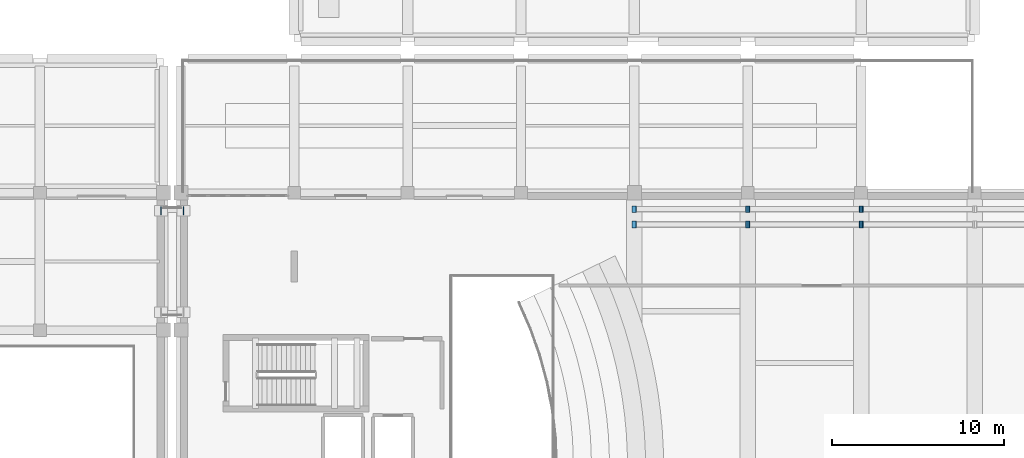
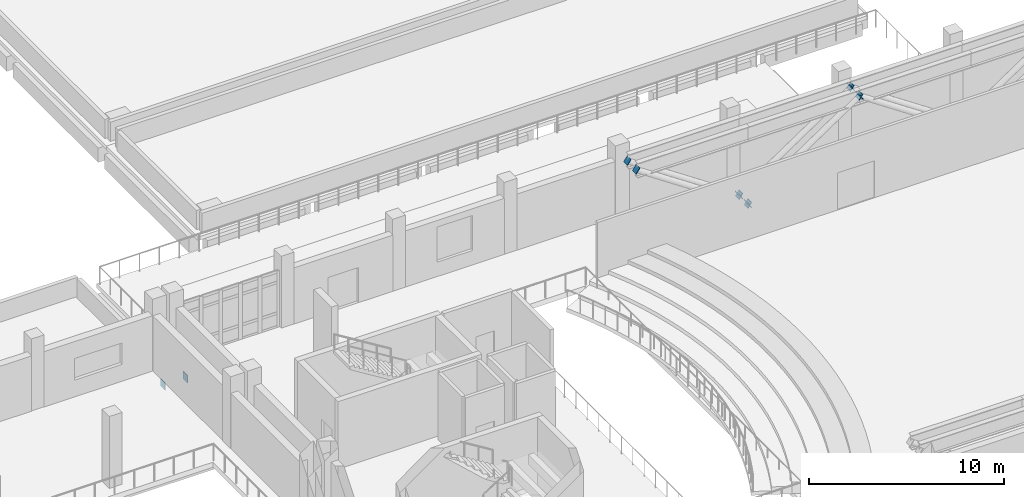
# One storey, part 46 of 54: 12 discrete accessories.
"""IFC4 building model written with IfcOpenShell, lengths in metres."""

from ifc_helpers import new_model, si_unit, direction, frame, origin, origin_2d, place, context, subcontext, project, spatial, rectangle, extrude, material, material_profile, profile_set, type_object, element, save


model = new_model("IFC4")

# Units and contexts
model_context = context("Model", 3, precision=1e-05, world=origin(), true_north=direction((0.0, 1.0)))
body_context = subcontext(model_context, "Body", "Model", "MODEL_VIEW")
ifc_project = project(units=[si_unit("LENGTHUNIT", "METRE"), si_unit("AREAUNIT", "SQUARE_METRE"), si_unit("VOLUMEUNIT", "CUBIC_METRE"), si_unit("PLANEANGLEUNIT", "RADIAN"), si_unit("MASSUNIT", "GRAM", prefix="KILO")], contexts=[model_context])

# Site, building, storey
site_placement = place(None, origin())
site = spatial("IfcSite", under=ifc_project, at=site_placement, CompositionType="ELEMENT")
building_placement = place(site_placement, origin())
building = spatial("IfcBuilding", under=site, at=building_placement, Name="Kelarvand Opera House", CompositionType="ELEMENT")
storey_placement = place(building_placement, frame((0.0, 0.0, 15.0)))
storey = spatial("IfcBuildingStorey", under=building, at=storey_placement, Name="L03", CompositionType="ELEMENT", Elevation=15.0)

# Discrete accessories
ifc_material = material(Name="Steel S355", Category="steel")
ifc_material_profile_1 = material_profile(ifc_material, rectangle(XDim=0.384033203125, YDim=0.384033203125, at=origin_2d()), Name="Welded Steel Hollow End-Cap Plate 384x384x24", Category="steel")
ifc_profile_set_1 = profile_set([ifc_material_profile_1], Name="Steel S355")
discrete_accessory_type_1 = type_object("IfcDiscreteAccessoryType", Name="Welded Steel Hollow End-Cap Plate 384x384x24", PredefinedType="SHOE", material=ifc_profile_set_1)
discrete_accessory_placement = place(storey_placement, frame((115.406494140625, 76.550048828125, 3.765380859375), z_axis=(-0.826800431078, 0.0, 0.562495375242), x_axis=(0.0, -1.0, 0.0)))
element("IfcDiscreteAccessory", 1, at=discrete_accessory_placement, inside=storey, type_object=discrete_accessory_type_1, Name="Hollow Section Welded End Cap 167", PredefinedType="SHOE", context=body_context, shape_type="SweptSolid", body=[
    extrude(rectangle(XDim=0.384033203125, YDim=0.384033203125, at=origin_2d()), origin(), (0.0, 0.0, 1.0), 0.0361328125),
])
for number, where, z_axis, x_axis, name in (
    (2, (121.993408203125, 76.550048828125, -0.66552734375), (0.829951176842, 0.0, -0.557836036894), (0.0, 1.0, 0.0), "Hollow Section Welded End Cap 168"),
    (3, (122.006591796875, 76.550048828125, -0.66552734375), (-0.829951176842, 0.0, -0.557836036894), (0.0, -1.0, 0.0), "Hollow Section Welded End Cap 171"),
):
    element("IfcDiscreteAccessory", number, at=place(storey_placement, frame(where, z_axis=z_axis, x_axis=x_axis)), inside=storey, type_object=discrete_accessory_type_1, Name=name, PredefinedType="SHOE", context=body_context, shape_type="SweptSolid", body=[
        extrude(rectangle(XDim=0.384033203125, YDim=0.384033203125, at=origin_2d()), origin(), (0.0, 0.0, 1.0), 0.035888671875),
    ])
for number, where, z_axis, x_axis, name in (
    (4, (128.593505859375, 76.550048828125, 3.765380859375), (0.826800431078, 0.0, 0.562495375242), (0.0, 1.0, 0.0), "Hollow Section Welded End Cap 172"),
    (5, (128.606689453125, 76.550048828125, 3.765380859375), (-0.826800431078, 0.0, 0.562495375242), (0.0, -1.0, 0.0), "Hollow Section Welded End Cap 175"),
    (6, (115.406494140625, 77.449951171875, 3.765380859375), (-0.826800431078, 0.0, 0.562495375242), (0.0, -1.0, 0.0), "Hollow Section Welded End Cap 191"),
):
    element("IfcDiscreteAccessory", number, at=place(storey_placement, frame(where, z_axis=z_axis, x_axis=x_axis)), inside=storey, type_object=discrete_accessory_type_1, Name=name, PredefinedType="SHOE", context=body_context, shape_type="SweptSolid", body=[
        extrude(rectangle(XDim=0.384033203125, YDim=0.384033203125, at=origin_2d()), origin(), (0.0, 0.0, 1.0), 0.0361328125),
    ])
for number, where, z_axis, x_axis, name in (
    (7, (121.993408203125, 77.449951171875, -0.66552734375), (0.829951176842, 0.0, -0.557836036894), (0.0, 1.0, 0.0), "Hollow Section Welded End Cap 192"),
    (8, (122.006591796875, 77.449951171875, -0.66552734375), (-0.829951176842, 0.0, -0.557836036894), (0.0, -1.0, 0.0), "Hollow Section Welded End Cap 195"),
):
    element("IfcDiscreteAccessory", number, at=place(storey_placement, frame(where, z_axis=z_axis, x_axis=x_axis)), inside=storey, type_object=discrete_accessory_type_1, Name=name, PredefinedType="SHOE", context=body_context, shape_type="SweptSolid", body=[
        extrude(rectangle(XDim=0.384033203125, YDim=0.384033203125, at=origin_2d()), origin(), (0.0, 0.0, 1.0), 0.035888671875),
    ])
for number, where, z_axis, x_axis, name in (
    (9, (128.593505859375, 77.449951171875, 3.765380859375), (0.826800431078, 0.0, 0.562495375242), (0.0, 1.0, 0.0), "Hollow Section Welded End Cap 196"),
    (10, (128.606689453125, 77.449951171875, 3.765380859375), (-0.826800431078, 0.0, 0.562495375242), (0.0, -1.0, 0.0), "Hollow Section Welded End Cap 199"),
):
    element("IfcDiscreteAccessory", number, at=place(storey_placement, frame(where, z_axis=z_axis, x_axis=x_axis)), inside=storey, type_object=discrete_accessory_type_1, Name=name, PredefinedType="SHOE", context=body_context, shape_type="SweptSolid", body=[
        extrude(rectangle(XDim=0.384033203125, YDim=0.384033203125, at=origin_2d()), origin(), (0.0, 0.0, 1.0), 0.0361328125),
    ])
ifc_material_profile_2 = material_profile(ifc_material, rectangle(XDim=0.4599609375, YDim=0.4599609375, at=origin_2d()), Name="Welded Steel Hollow End-Cap Plate 460x460x24", Category="steel")
ifc_profile_set_2 = profile_set([ifc_material_profile_2], Name="Steel S355")
discrete_accessory_type_2 = type_object("IfcDiscreteAccessoryType", Name="Welded Steel Hollow End-Cap Plate 460x460x24", PredefinedType="SHOE", material=ifc_profile_set_2)
for number, where, z_axis, x_axis, name in (
    (11, (87.85791015625, 77.35009765625, -0.52001953125), (-1.0, 0.0, 0.0), (0.0, -1.0, 0.0), "Hollow Section Welded End Cap 47"),
    (12, (89.14208984375, 77.35009765625, -0.52001953125), (1.0, 0.0, 0.0), (0.0, 1.0, 0.0), "Hollow Section Welded End Cap 48"),
):
    element("IfcDiscreteAccessory", number, at=place(storey_placement, frame(where, z_axis=z_axis, x_axis=x_axis)), inside=storey, type_object=discrete_accessory_type_2, Name=name, PredefinedType="SHOE", context=body_context, shape_type="SweptSolid", body=[
        extrude(rectangle(XDim=0.4599609375, YDim=0.4599609375, at=origin_2d()), origin(), (0.0, 0.0, 1.0), 0.035888671875),
    ])

save(model, "model.ifc")
